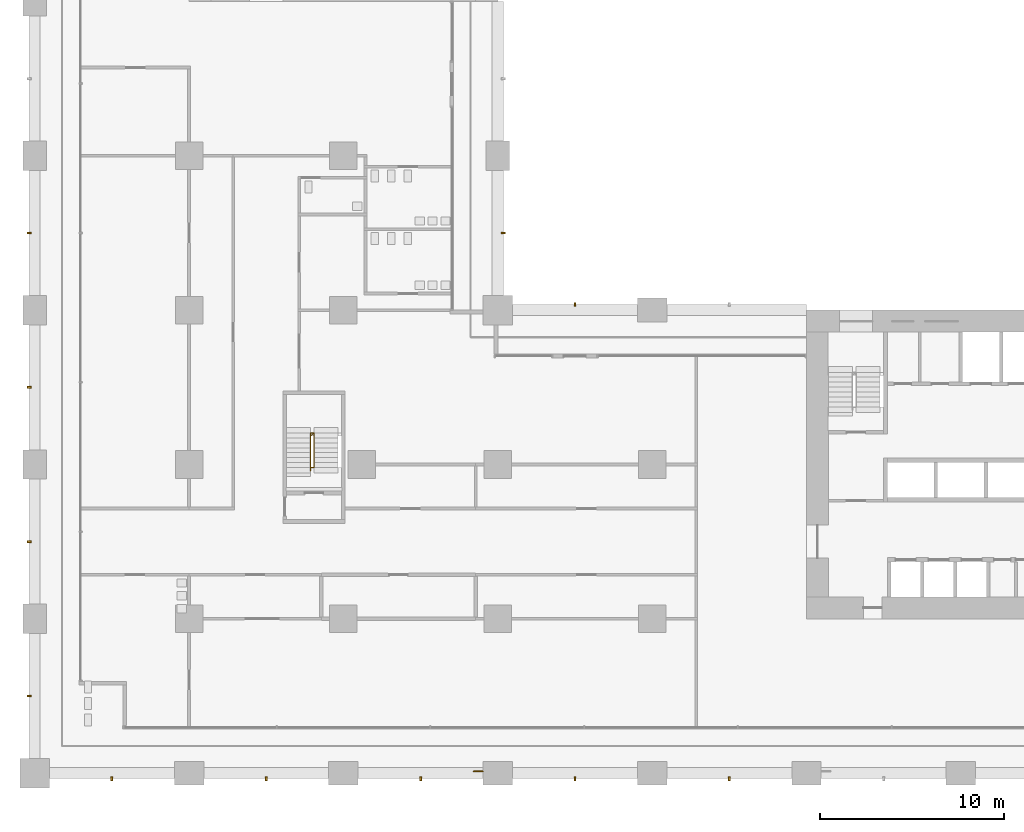
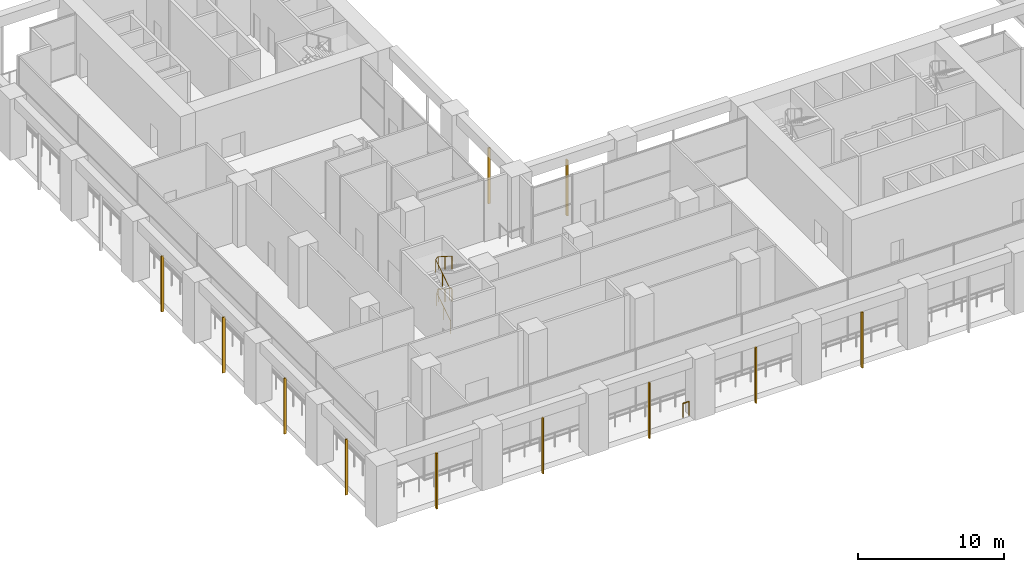
# One storey, part 25 of 33: 11 shading devices, 2 railings.
"""IFC4 building model written with IfcOpenShell, lengths in metres."""

import ifcopenshell
import ifcopenshell.guid

model = None  # the IFC model being written
_history = None  # IfcOwnerHistory: only IFC2X3 demands one
_inside = {}  # id of a spatial element -> (the spatial element, [elements in it])
_under = {}  # id of a project, library or spatial element -> (it, [spatial elements below it])
_declared = {}  # id of a project -> (the project, [libraries it declares])
_typed = {}  # id of a type object -> (the type object, [elements of that type])
_made_of = {}  # id of a material, layer set ... -> (it, [elements and type objects made of it])


def new_model(schema):
    """Start an empty IFC model of exactly this schema.

    Asked for "IFC4X3", IfcOpenShell would pick the latest addendum, in which some entities
    have other attributes; the version numbers below select the first issue.
    IFC2X3 requires an IfcOwnerHistory on every rooted entity: one is made here for all.
    """
    global model, _history
    if schema == "IFC4X3":
        model = ifcopenshell.file(schema_version=(4, 3, 0, 0))
    else:
        model = ifcopenshell.file(schema=schema)
    _inside.clear()
    _under.clear()
    _declared.clear()
    _typed.clear()
    _made_of.clear()
    _history = None
    if model.schema == "IFC2X3":
        org = make("IfcOrganization", Name="unknown")
        user = make(
            "IfcPersonAndOrganization",
            ThePerson=make("IfcPerson", FamilyName="unknown"),
            TheOrganization=org,
        )
        app = make(
            "IfcApplication",
            ApplicationDeveloper=org,
            Version="unknown",
            ApplicationFullName="unknown",
            ApplicationIdentifier="unknown",
        )
        _history = make(
            "IfcOwnerHistory",
            OwningUser=user,
            OwningApplication=app,
            ChangeAction="ADDED",
            CreationDate=0,
        )
    return model


def make(cls, **values):
    """One entity of the class cls with the attributes given. An attribute that is None is left unset."""
    return model.create_entity(
        cls, **{name: value for name, value in values.items() if value is not None}
    )


def rooted(cls, **values):
    """An entity with a GlobalId (a new one), such as an element, a storey or a relation."""
    return make(cls, GlobalId=ifcopenshell.guid.new(), OwnerHistory=_history, **values)


def si_unit(unit_type, name, prefix=None):
    """IfcSIUnit, for example si_unit("LENGTHUNIT", "METRE", prefix="MILLI")."""
    return make("IfcSIUnit", UnitType=unit_type, Prefix=prefix, Name=name)


def assignment(units):
    """IfcUnitAssignment: the units of a project."""
    return None if units is None else make("IfcUnitAssignment", Units=units)


def point(xyz):
    """IfcCartesianPoint."""
    return None if xyz is None else make("IfcCartesianPoint", Coordinates=xyz)


def direction(xyz):
    """IfcDirection."""
    return None if xyz is None else make("IfcDirection", DirectionRatios=xyz)


def frame(location, z_axis=None, x_axis=None):
    """IfcAxis2Placement3D, a coordinate frame: its origin and axes. An axis left out is left unset."""
    return make(
        "IfcAxis2Placement3D",
        Location=point(location),
        Axis=direction(z_axis),
        RefDirection=direction(x_axis),
    )


def frame_2d(location, x_axis=None):
    """IfcAxis2Placement2D, a coordinate frame in the plane: its origin and x axis."""
    return make(
        "IfcAxis2Placement2D", Location=point(location), RefDirection=direction(x_axis)
    )


def origin():
    """The frame at (0, 0, 0) with its axes left unset."""
    return frame((0.0, 0.0, 0.0))


def origin_2d():
    """The frame at (0, 0) in the plane with its x axis left unset."""
    return frame_2d((0.0, 0.0))


def place(relative_to, where):
    """IfcLocalPlacement: puts the frame where relative to a parent placement (None: the world)."""
    return make(
        "IfcLocalPlacement", PlacementRelTo=relative_to, RelativePlacement=where
    )


def context(
    kind, dimensions, precision=None, world=None, true_north=None, identifier=None
):
    """IfcGeometricRepresentationContext, for example the 3D "Model" context."""
    return make(
        "IfcGeometricRepresentationContext",
        ContextIdentifier=identifier,
        ContextType=kind,
        CoordinateSpaceDimension=dimensions,
        Precision=precision,
        WorldCoordinateSystem=world,
        TrueNorth=true_north,
    )


def subcontext(parent, identifier, kind, view, scale=None):
    """IfcGeometricRepresentationSubContext, for example "Body" below "Model"."""
    return make(
        "IfcGeometricRepresentationSubContext",
        ContextIdentifier=identifier,
        ContextType=kind,
        ParentContext=parent,
        TargetScale=scale,
        TargetView=view,
    )


def project(units=None, contexts=None):
    """IfcProject with its units and contexts."""
    return rooted(
        "IfcProject",
        Name="project",
        RepresentationContexts=contexts,
        UnitsInContext=assignment(units),
    )


def spatial(cls, under=None, at=None, **own):
    """A site, building, storey or space (cls), placed at a placement, below another one or the project."""
    s = rooted(cls, ObjectPlacement=at, **own)
    if under is not None:
        _under.setdefault(under.id(), (under, []))[1].append(s)
    return s


def profile(cls, at=None, kind="AREA", **sizes):
    """A parametric profile (cls). Its sizes go by their IFC names, for example OverallWidth=200.0."""
    return make(cls, ProfileType=kind, Position=at, **sizes)


def rectangle(**sizes):
    """IfcRectangleProfileDef."""
    return profile("IfcRectangleProfileDef", **sizes)


def circle(**sizes):
    """IfcCircleProfileDef."""
    return profile("IfcCircleProfileDef", **sizes)


def extrude(swept, where, along, depth):
    """IfcExtrudedAreaSolid: the profile swept, set in the frame where, extruded along a direction by depth."""
    return make(
        "IfcExtrudedAreaSolid",
        SweptArea=swept,
        Position=where,
        ExtrudedDirection=direction(along),
        Depth=depth,
    )


def shape(context_of_items, identifier, shape_type, items):
    """IfcShapeRepresentation: the items that make up one representation, for example the "Body"."""
    return make(
        "IfcShapeRepresentation",
        ContextOfItems=context_of_items,
        RepresentationIdentifier=identifier,
        RepresentationType=shape_type,
        Items=items,
    )


def material(Name=None, Category=None):
    """IfcMaterial."""
    return make("IfcMaterial", Name=Name, Category=Category)


def material_profile(
    of_material, cross_section, Name=None, Category=None, Priority=None
):
    """IfcMaterialProfile: a cross section and its material."""
    return make(
        "IfcMaterialProfile",
        Name=Name,
        Material=of_material,
        Profile=cross_section,
        Priority=Priority,
        Category=Category,
    )


def profile_set(profiles, Name=None, composite=None):
    """IfcMaterialProfileSet."""
    return make(
        "IfcMaterialProfileSet",
        Name=Name,
        MaterialProfiles=profiles,
        CompositeProfile=composite,
    )


def made_of(thing, what):
    """Note that an element or type object is made of a material, layer set ...; save() writes the relation."""
    if what is not None:
        _made_of.setdefault(what.id(), (what, []))[1].append(thing)
    return thing


def type_object(cls, material=None, **own):
    """A type object (cls), such as IfcWallType, which elements share."""
    return made_of(rooted(cls, **own), material)


def element(
    cls,
    number,
    at=None,
    inside=None,
    cuts=None,
    type_object=None,
    material=None,
    context=None,
    identifier="Body",
    shape_type=None,
    held_by="IfcProductDefinitionShape",
    body=None,
    shapes=None,
    **own,
):
    """One element of the class cls, such as IfcWall. Its Tag is "e" and its number.

    at: its placement. inside: the storey or other place that contains it. cuts: it is an
    opening in that element (IfcRelVoidsElement). A single representation is given by context,
    identifier, shape_type and body (its items); several are given by shapes. held_by: the class
    of the entity that holds the representations. save() writes the other relations.
    """
    e = rooted(cls, Tag="e%d" % number, ObjectPlacement=at, **own)
    if body is not None:
        shapes = [shape(context, identifier, shape_type, body)]
    if shapes is not None:
        e.Representation = make(held_by, Representations=shapes)
    if inside is not None:
        _inside.setdefault(inside.id(), (inside, []))[1].append(e)
    if cuts is not None:
        rooted(
            "IfcRelVoidsElement", RelatingBuildingElement=cuts, RelatedOpeningElement=e
        )
    if type_object is not None:
        _typed.setdefault(type_object.id(), (type_object, []))[1].append(e)
    return made_of(e, material)


def aggregate(whole, parts):
    """IfcRelAggregates: a whole, such as a stair, and the parts it consists of."""
    return rooted("IfcRelAggregates", RelatingObject=whole, RelatedObjects=parts)


def save(model, path):
    """Write the relations noted so far, then the file.

    IfcRelAggregates (storeys below a building ...), IfcRelContainedInSpatialStructure (elements
    in a storey), IfcRelDefinesByType, IfcRelAssociatesMaterial and IfcRelDeclares: one each for
    every whole, place, type object, material and project.
    """
    for whole, parts in _under.values():
        aggregate(whole, parts)
    for where, things in _inside.values():
        rooted(
            "IfcRelContainedInSpatialStructure",
            RelatedElements=things,
            RelatingStructure=where,
        )
    for kind, things in _typed.values():
        rooted("IfcRelDefinesByType", RelatedObjects=things, RelatingType=kind)
    for what, things in _made_of.values():
        rooted("IfcRelAssociatesMaterial", RelatedObjects=things, RelatingMaterial=what)
    for by, libraries in _declared.values():
        rooted("IfcRelDeclares", RelatingContext=by, RelatedDefinitions=libraries)
    model.write(path)


model = new_model("IFC4")

# Units and contexts
model_context = context("Model", 3, precision=1e-05, world=origin(), true_north=direction((0.0, 1.0)))
body_context = subcontext(model_context, "Body", "Model", "MODEL_VIEW")
ifc_project = project(units=[si_unit("LENGTHUNIT", "METRE"), si_unit("AREAUNIT", "SQUARE_METRE"), si_unit("VOLUMEUNIT", "CUBIC_METRE"), si_unit("PLANEANGLEUNIT", "RADIAN"), si_unit("MASSUNIT", "GRAM", prefix="KILO")], contexts=[model_context])

# Site, building, storey
site_placement = place(None, origin())
site = spatial("IfcSite", under=ifc_project, at=site_placement, CompositionType="ELEMENT")
building_placement = place(site_placement, origin())
building = spatial("IfcBuilding", under=site, at=building_placement, Name="Vermilion Gate Residences", CompositionType="ELEMENT")
storey_placement = place(building_placement, frame((0.0, 0.0, 14.39990234375)))
storey = spatial("IfcBuildingStorey", under=building, at=storey_placement, Name="L02", CompositionType="ELEMENT", Elevation=14.39990234375)

# Railings
ifc_material_1 = material(Name="Stainless steel and toughened glass", Category="steel")
railing_type_1 = type_object("IfcRailingType", Name="LOGGIA GUARD STEEL AND GLASS 1200", PredefinedType="GUARDRAIL", material=ifc_material_1)
railing_1_placement = place(storey_placement, frame((23.89990234375, 0.10009765625, 0.0)))
element("IfcRailing", 1, at=railing_1_placement, inside=storey, type_object=railing_type_1, Name="Loggia guard", PredefinedType="GUARDRAIL", context=body_context, shape_type="SweptSolid", body=[
    extrude(circle(Radius=0.030029296875, at=origin_2d()), frame((0.0, 0.0, 1.169921875), z_axis=(1.0, 0.0, 0.0), x_axis=(0.0, 1.0, 0.0)), (0.0, 0.0, 1.0), 0.47802734375),
    extrude(circle(Radius=0.02490234375, at=origin_2d()), origin(), (0.0, 0.0, 1.0), 1.139892578125),
    extrude(circle(Radius=0.02490234375, at=origin_2d()), frame((0.47802734375, 0.0, 0.0)), (0.0, 0.0, 1.0), 1.139892578125),
])
ifc_material_2 = material(Name="Steel S355", Category="steel")
railing_type_2 = type_object("IfcRailingType", Name="STAIR GUARD 1100 STEEL", PredefinedType="GUARDRAIL", material=ifc_material_2)
railing_2_placement = place(storey_placement, frame((15.0, 16.449951171875, 0.1689453125)))
element("IfcRailing", 2, at=railing_2_placement, inside=storey, type_object=railing_type_2, Name="Stair well guard STC1-02", PredefinedType="GUARDRAIL", context=body_context, shape_type="SweptSolid", body=[
    extrude(circle(Radius=0.02392578125, at=origin_2d()), frame((0.0, 0.0, 1.076171875), z_axis=(0.0, 0.848035224522, 0.529939862598), x_axis=(-1.0, 0.0, 0.0)), (0.0, 0.0, 1.0), 2.228759765625),
    extrude(circle(Radius=0.02392578125, at=origin_2d()), frame((0.0, 1.89013671875, 2.25732421875), z_axis=(0.629737167528, 0.566686559791, 0.531316706669), x_axis=(-0.66891458545, 0.743339274741, 0.0)), (0.0, 0.0, 1.0), 0.317626953125),
    extrude(circle(Radius=0.02392578125, at=origin_2d()), frame((0.199951171875, 2.070068359375, 2.42578125), z_axis=(0.0, -0.847985996966, 0.530018630757), x_axis=(1.0, 0.0, 0.0)), (0.0, 0.0, 1.0), 2.22900390625),
    extrude(circle(Radius=0.02392578125, at=origin_2d()), frame((0.199951171875, 0.179931640625, 3.607421875), z_axis=(-0.764305856904, 0.0, 0.644853903688), x_axis=(0.0, -1.0, 0.0)), (0.0, 0.0, 1.0), 0.26171875),
    extrude(circle(Radius=0.02392578125, at=origin_2d()), frame((0.0, 0.179931640625, 3.77587890625), z_axis=(0.0, 0.848035224522, 0.529939862598), x_axis=(-1.0, 0.0, 0.0)), (0.0, 0.0, 1.0), 2.228759765625),
    extrude(circle(Radius=0.02392578125, at=origin_2d()), frame((0.0, 2.070068359375, 4.95703125), z_axis=(0.764305856904, 0.0, 0.644853903688), x_axis=(0.0, 1.0, 0.0)), (0.0, 0.0, 1.0), 0.26171875),
    extrude(circle(Radius=0.02392578125, at=origin_2d()), frame((0.199951171875, 2.070068359375, 5.1259765625), z_axis=(0.0, -0.847985996966, 0.530018630757), x_axis=(1.0, 0.0, 0.0)), (0.0, 0.0, 1.0), 2.22900390625),
    extrude(circle(Radius=0.02099609375, at=origin_2d()), origin(), (0.0, 0.0, 1.0), 1.052001953125),
    extrude(circle(Radius=0.02099609375, at=origin_2d()), frame((0.0, 0.945068359375, 0.590576171875)), (0.0, 0.0, 1.0), 1.052001953125),
    extrude(circle(Radius=0.02099609375, at=origin_2d()), frame((0.0, 1.89013671875, 1.18115234375)), (0.0, 0.0, 1.0), 1.052001953125),
    extrude(circle(Radius=0.02099609375, at=origin_2d()), frame((0.199951171875, 2.070068359375, 1.349853515625)), (0.0, 0.0, 1.0), 1.052001953125),
    extrude(circle(Radius=0.02099609375, at=origin_2d()), frame((0.199951171875, 1.125, 1.9404296875)), (0.0, 0.0, 1.0), 1.052001953125),
    extrude(circle(Radius=0.02099609375, at=origin_2d()), frame((0.199951171875, 0.179931640625, 2.53125)), (0.0, 0.0, 1.0), 1.052001953125),
    extrude(circle(Radius=0.02099609375, at=origin_2d()), frame((0.0, 0.179931640625, 2.699951171875)), (0.0, 0.0, 1.0), 1.052001953125),
    extrude(circle(Radius=0.02099609375, at=origin_2d()), frame((0.0, 1.125, 3.29052734375)), (0.0, 0.0, 1.0), 1.052001953125),
    extrude(circle(Radius=0.02099609375, at=origin_2d()), frame((0.0, 2.070068359375, 3.881103515625)), (0.0, 0.0, 1.0), 1.052001953125),
    extrude(circle(Radius=0.02099609375, at=origin_2d()), frame((0.199951171875, 2.070068359375, 4.0498046875)), (0.0, 0.0, 1.0), 1.052001953125),
    extrude(circle(Radius=0.02099609375, at=origin_2d()), frame((0.199951171875, 1.125, 4.640625)), (0.0, 0.0, 1.0), 1.052001953125),
    extrude(circle(Radius=0.02099609375, at=origin_2d()), frame((0.199951171875, 0.179931640625, 5.231201171875)), (0.0, 0.0, 1.0), 1.052001953125),
])

# Shading devices
ifc_material_3 = material(Name="Extruded terracotta", Category="masonry")
ifc_material_profile = material_profile(ifc_material_3, rectangle(XDim=0.199951171875, YDim=0.10009765625, at=origin_2d()), Name="BAGUETTE 100 X 200")
ifc_profile_set = profile_set([ifc_material_profile], Name="Extruded terracotta")
shading_device_type = type_object("IfcShadingDeviceType", Name="TERRACOTTA BAGUETTE 100 X 200", PredefinedType="JALOUSIE", material=ifc_profile_set)
for number, where, z_axis, x_axis, name in (
    (3, (4.199951171875, -0.300048828125, -0.449951171875), (0.0, 0.0, 1.0), (0.0, 1.0, 0.0), "BAGUETTE"),
    (4, (12.60009765625, -0.300048828125, -0.449951171875), (0.0, 0.0, 1.0), (0.0, 1.0, 0.0), "BAGUETTE"),
    (5, (21.0, -0.300048828125, -0.449951171875), (0.0, 0.0, 1.0), (0.0, 1.0, 0.0), "BAGUETTE"),
    (6, (29.39990234375, -0.300048828125, -0.449951171875), (0.0, 0.0, 1.0), (0.0, 1.0, 0.0), "BAGUETTE"),
    (7, (37.800048828125, -0.300048828125, -0.449951171875), (0.0, 0.0, 1.0), (0.0, 1.0, 0.0), "BAGUETTE"),
    (8, (29.39990234375, 25.5, -0.449951171875), (0.0, 0.0, 1.0), (0.0, -1.0, 0.0), "BAGUETTE"),
    (9, (25.5, 29.39990234375, -0.449951171875), (0.0, 0.0, 1.0), (-1.0, 0.0, 0.0), "BAGUETTE"),
    (10, (-0.300048828125, 4.199951171875, -0.449951171875), (0.0, 0.0, 1.0), (1.0, 0.0, 0.0), "BAGUETTE"),
    (11, (-0.300048828125, 12.60009765625, -0.449951171875), (0.0, 0.0, 1.0), (1.0, 0.0, 0.0), "BAGUETTE"),
    (12, (-0.300048828125, 21.0, -0.449951171875), (0.0, 0.0, 1.0), (1.0, 0.0, 0.0), "BAGUETTE"),
    (13, (-0.300048828125, 29.39990234375, -0.449951171875), (0.0, 0.0, 1.0), (1.0, 0.0, 0.0), "BAGUETTE"),
):
    element("IfcShadingDevice", number, at=place(storey_placement, frame(where, z_axis=z_axis, x_axis=x_axis)), inside=storey, type_object=shading_device_type, Name=name, PredefinedType="JALOUSIE", context=body_context, shape_type="SweptSolid", body=[
        extrude(rectangle(XDim=0.199951171875, YDim=0.10009765625, at=origin_2d()), origin(), (0.0, 0.0, 1.0), 4.650146484375),
    ])

save(model, "model.ifc")
